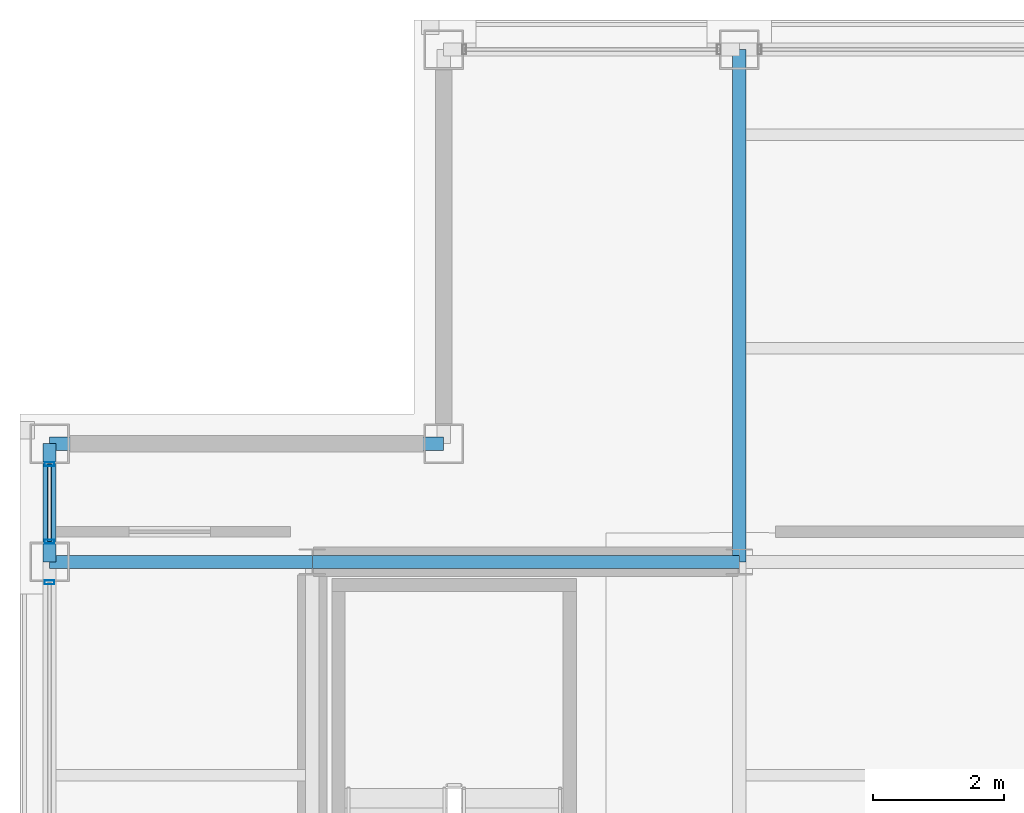
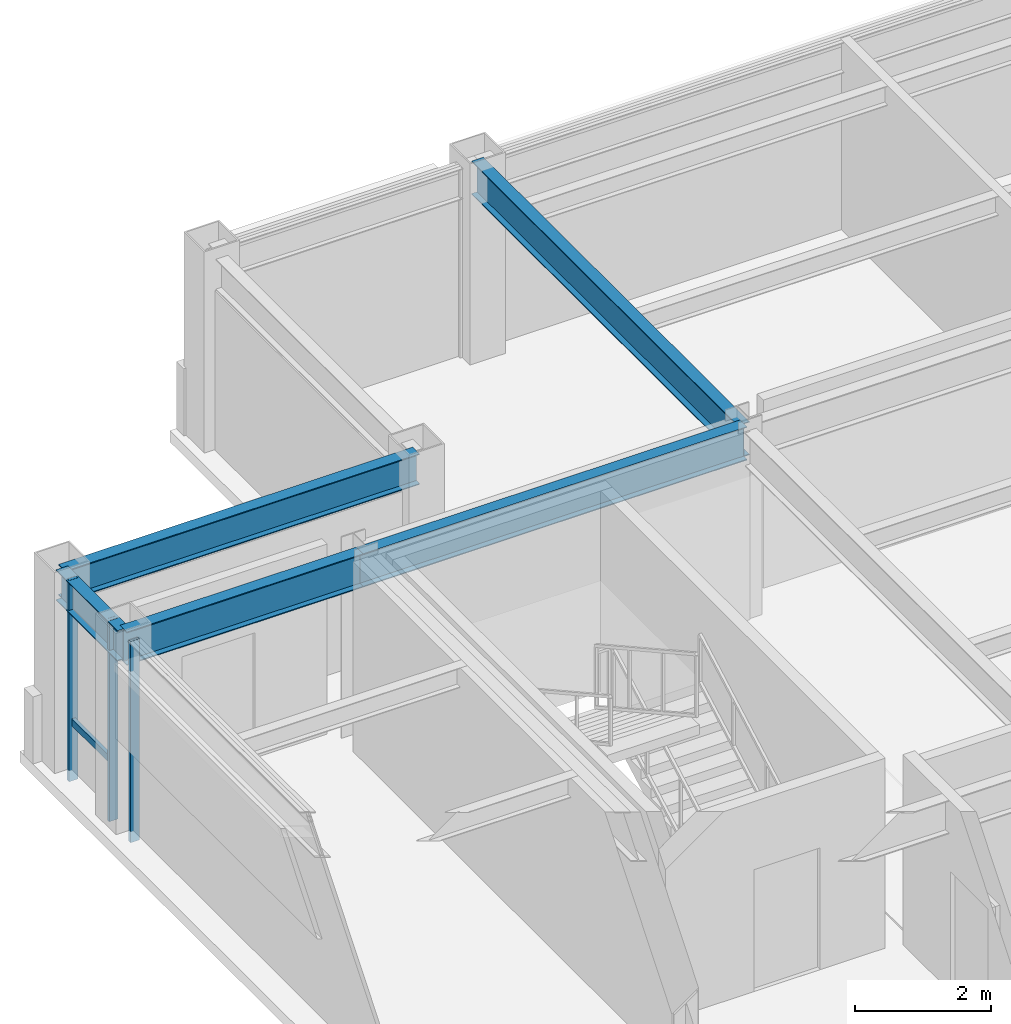
# One storey, part 8 of 20: 5 beams, 4 members, 2 elements without a shape of their own.
"""IFC4 building model written with IfcOpenShell, lengths in metres."""

from ifc_helpers import new_model, si_unit, direction, frame, origin, origin_2d, place, context, subcontext, project, spatial, hollow_rectangle, i_section, extrude, material, layer, layer_set, material_profile, profile_set, type_object, element, aggregate, save


model = new_model("IFC4")

# Units and contexts
model_context = context("Model", 3, precision=1e-05, world=origin(), true_north=direction((0.0, 1.0)))
body_context = subcontext(model_context, "Body", "Model", "MODEL_VIEW")
ifc_project = project(units=[si_unit("LENGTHUNIT", "METRE"), si_unit("AREAUNIT", "SQUARE_METRE"), si_unit("VOLUMEUNIT", "CUBIC_METRE"), si_unit("PLANEANGLEUNIT", "RADIAN"), si_unit("MASSUNIT", "GRAM", prefix="KILO")], contexts=[model_context])

# Site, building, storey
site_placement = place(None, origin())
site = spatial("IfcSite", under=ifc_project, at=site_placement, CompositionType="ELEMENT")
building_placement = place(site_placement, origin())
building = spatial("IfcBuilding", under=site, at=building_placement, Name="Brelmoor Portico Tower", CompositionType="ELEMENT")
storey_placement = place(building_placement, frame((0.0, 0.0, 272.39990234375)))
storey = spatial("IfcBuildingStorey", under=building, at=storey_placement, Name="L72", CompositionType="ELEMENT", Elevation=272.39990234375)

# Beams
ifc_material_1 = material(Name="Steel Q355B", Category="steel")
ifc_material_profile_1 = material_profile(ifc_material_1, i_section(OverallWidth=0.199951171875, OverallDepth=0.60009765625, WebThickness=0.010986328125, FlangeThickness=0.01708984375, at=origin_2d()), Name="HN 600x200x11x17")
ifc_profile_set_1 = profile_set([ifc_material_profile_1], Name="Steel Q355B")
beam_type_1 = type_object("IfcBeamType", Name="BM-PG-600", PredefinedType="BEAM", material=ifc_profile_set_1)
beam_1_placement = place(storey_placement, frame((-8.050048828125, 9.75, 3.10009765625), z_axis=(0.0, 1.0, 0.0), x_axis=(-1.0, 0.0, 0.0)))
element("IfcBeam", 1, at=beam_1_placement, inside=storey, type_object=beam_type_1, Name="L72 Primary Floor Girder PG-05", PredefinedType="BEAM", context=body_context, shape_type="SweptSolid", body=[
    extrude(i_section(OverallWidth=0.199951171875, OverallDepth=0.60009765625, WebThickness=0.010986328125, FlangeThickness=0.01708984375, at=origin_2d()), origin(), (0.0, 0.0, 1.0), 7.800048828125),
])
beam_2_placement = place(storey_placement, frame((-18.550048828125, 9.75, 3.10009765625), z_axis=(1.0, 0.0, 0.0), x_axis=(0.0, 1.0, 0.0)))
element("IfcBeam", 2, at=beam_2_placement, inside=storey, type_object=beam_type_1, Name="L72 Primary Floor Girder PG-19", PredefinedType="BEAM", context=body_context, shape_type="SweptSolid", body=[
    extrude(i_section(OverallWidth=0.199951171875, OverallDepth=0.60009765625, WebThickness=0.010986328125, FlangeThickness=0.01708984375, at=origin_2d()), origin(), (0.0, 0.0, 1.0), 4.0),
])
beam_3_placement = place(storey_placement, frame((-14.550048828125, 9.75, 3.10009765625), z_axis=(1.0, 0.0, 0.0), x_axis=(0.0, 1.0, 0.0)))
element("IfcBeam", 3, at=beam_3_placement, inside=storey, type_object=beam_type_1, Name="L72 Primary Floor Girder PG-20", PredefinedType="BEAM", context=body_context, shape_type="SweptSolid", body=[
    extrude(i_section(OverallWidth=0.199951171875, OverallDepth=0.60009765625, WebThickness=0.010986328125, FlangeThickness=0.01708984375, at=origin_2d()), origin(), (0.0, 0.0, 1.0), 6.5),
])
ifc_material_profile_2 = material_profile(ifc_material_1, i_section(OverallWidth=0.199951171875, OverallDepth=0.550048828125, WebThickness=0.010009765625, FlangeThickness=0.01611328125, at=origin_2d()), Name="HN 550x200x10x16")
ifc_profile_set_2 = profile_set([ifc_material_profile_2], Name="Steel Q355B")
beam_type_2 = type_object("IfcBeamType", Name="BM-SP-550", PredefinedType="SPANDREL", material=ifc_profile_set_2)
beam_4_placement = place(storey_placement, frame((-18.550048828125, 11.550048828125, 3.125), z_axis=(1.0, 0.0, 0.0), x_axis=(0.0, 1.0, 0.0)))
element("IfcBeam", 4, at=beam_4_placement, inside=storey, type_object=beam_type_2, Name="L72 Perimeter Spandrel Beam SP-06", PredefinedType="SPANDREL", context=body_context, shape_type="SweptSolid", body=[
    extrude(i_section(OverallWidth=0.199951171875, OverallDepth=0.550048828125, WebThickness=0.010009765625, FlangeThickness=0.01611328125, at=origin_2d()), origin(), (0.0, 0.0, 1.0), 6.0),
])
beam_5_placement = place(storey_placement, frame((-18.550048828125, 9.75, 3.125), z_axis=(0.0, 1.0, 0.0), x_axis=(-1.0, 0.0, 0.0)))
element("IfcBeam", 5, at=beam_5_placement, inside=storey, type_object=beam_type_2, Name="L72 Perimeter Spandrel Beam SP-13", PredefinedType="SPANDREL", context=body_context, shape_type="SweptSolid", body=[
    extrude(i_section(OverallWidth=0.199951171875, OverallDepth=0.550048828125, WebThickness=0.010009765625, FlangeThickness=0.01611328125, at=origin_2d()), origin(), (0.0, 0.0, 1.0), 1.800048828125),
])

# Curtain wall, member
ifc_material_2 = material(Name="Anodised Aluminium Alloy 6063-T6", Category="aluminium")
ifc_layer_1 = layer(ifc_material_2, 0.179931640625)
ifc_layer_set_1 = layer_set([ifc_layer_1], Name="Anodised Aluminium Alloy 6063-T6")
curtain_wall_type_1 = type_object("IfcCurtainWallType", Name="CW-TOWER-Z4-XB", PredefinedType="NOTDEFINED", material=ifc_layer_set_1)
curtain_wall_1_placement = place(storey_placement, origin())
curtain_wall_1 = element("IfcCurtainWall", 6, at=curtain_wall_1_placement, inside=storey, type_object=curtain_wall_type_1, Name="L72 Curtain Wall CW-L72-03-2", PredefinedType="NOTDEFINED")
ifc_material_profile_3 = material_profile(ifc_material_2, hollow_rectangle(XDim=0.06005859375, YDim=0.14990234375, WallThickness=0.00390625, at=origin_2d()), Name="ALU MULLION 60x150")
ifc_profile_set_3 = profile_set([ifc_material_profile_3], Name="Anodised Aluminium Alloy 6063-T6")
member_type_1 = type_object("IfcMemberType", Name="MB-CW-MULL-150", PredefinedType="MULLION", material=ifc_profile_set_3)
member_1_placement = place(storey_placement, frame((-18.550048828125, 9.43994140625, -0.199951171875), z_axis=(0.0, 0.0, 1.0), x_axis=(0.0, 1.0, 0.0)))
member_1 = element("IfcMember", 7, at=member_1_placement, type_object=member_type_1, Name="CW-L72-03-2 Mullion 02", PredefinedType="MULLION", context=body_context, shape_type="SweptSolid", body=[
    extrude(hollow_rectangle(XDim=0.06005859375, YDim=0.14990234375, WallThickness=0.00390625, at=origin_2d()), origin(), (0.0, 0.0, 1.0), 3.60009765625),
])
aggregate(curtain_wall_1, [member_1])

# Curtain wall, members
ifc_layer_2 = layer(ifc_material_2, 0.179931640625)
ifc_layer_set_2 = layer_set([ifc_layer_2], Name="Anodised Aluminium Alloy 6063-T6")
curtain_wall_type_2 = type_object("IfcCurtainWallType", Name="CW-TOWER-Z4", PredefinedType="NOTDEFINED", material=ifc_layer_set_2)
curtain_wall_2_placement = place(storey_placement, origin())
curtain_wall_2 = element("IfcCurtainWall", 8, at=curtain_wall_2_placement, inside=storey, type_object=curtain_wall_type_2, Name="L72 Curtain Wall CW-L72-03-3", PredefinedType="NOTDEFINED")
member_2_placement = place(storey_placement, frame((-18.550048828125, 10.06005859375, -0.199951171875), z_axis=(0.0, 0.0, 1.0), x_axis=(0.0, 1.0, 0.0)))
member_2 = element("IfcMember", 9, at=member_2_placement, type_object=member_type_1, Name="CW-L72-03-3 Mullion 00", PredefinedType="MULLION", context=body_context, shape_type="SweptSolid", body=[
    extrude(hollow_rectangle(XDim=0.06005859375, YDim=0.14990234375, WallThickness=0.00390625, at=origin_2d()), origin(), (0.0, 0.0, 1.0), 3.60009765625),
])
member_3_placement = place(storey_placement, frame((-18.550048828125, 11.239990234375, -0.199951171875), z_axis=(0.0, 0.0, 1.0), x_axis=(0.0, 1.0, 0.0)))
member_3 = element("IfcMember", 10, at=member_3_placement, type_object=member_type_1, Name="CW-L72-03-3 Mullion 01", PredefinedType="MULLION", context=body_context, shape_type="SweptSolid", body=[
    extrude(hollow_rectangle(XDim=0.06005859375, YDim=0.14990234375, WallThickness=0.00390625, at=origin_2d()), origin(), (0.0, 0.0, 1.0), 3.60009765625),
])
ifc_material_profile_4 = material_profile(ifc_material_2, hollow_rectangle(XDim=0.06005859375, YDim=0.125, WallThickness=0.00341796875, at=origin_2d()), Name="ALU TRANSOM 60x125")
ifc_profile_set_4 = profile_set([ifc_material_profile_4], Name="Anodised Aluminium Alloy 6063-T6")
member_type_2 = type_object("IfcMemberType", Name="MB-CW-TRAN-125", PredefinedType="USERDEFINED", material=ifc_profile_set_4)
member_4_placement = place(storey_placement, frame((-18.550048828125, 10.06005859375, 0.85009765625), z_axis=(0.0, 1.0, 0.0), x_axis=(-1.0, 0.0, 0.0)))
member_4 = element("IfcMember", 11, at=member_4_placement, type_object=member_type_2, Name="CW-L72-03-3 Transom 1-00", ObjectType="TRANSOM", PredefinedType="USERDEFINED", context=body_context, shape_type="SweptSolid", body=[
    extrude(hollow_rectangle(XDim=0.06005859375, YDim=0.125, WallThickness=0.00341796875, at=origin_2d()), origin(), (0.0, 0.0, 1.0), 1.179931640625),
])
aggregate(curtain_wall_2, [member_2, member_3, member_4])

save(model, "model.ifc")
